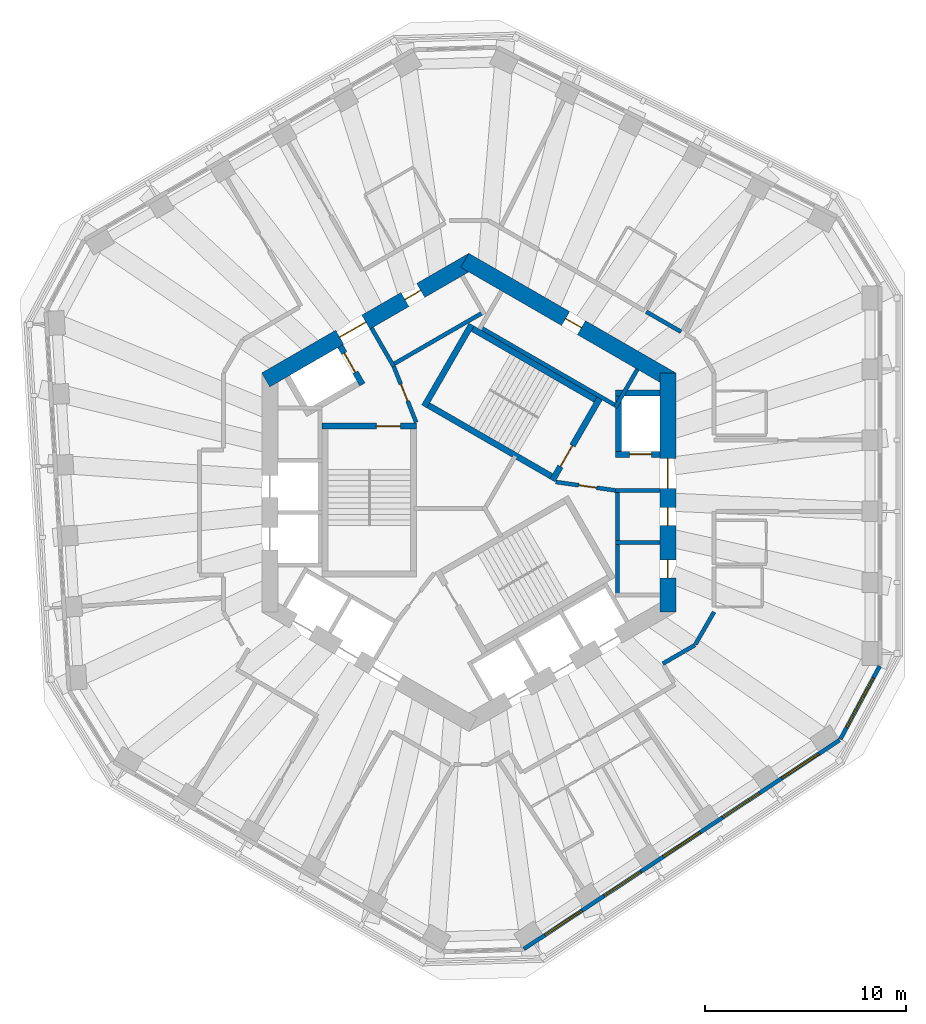
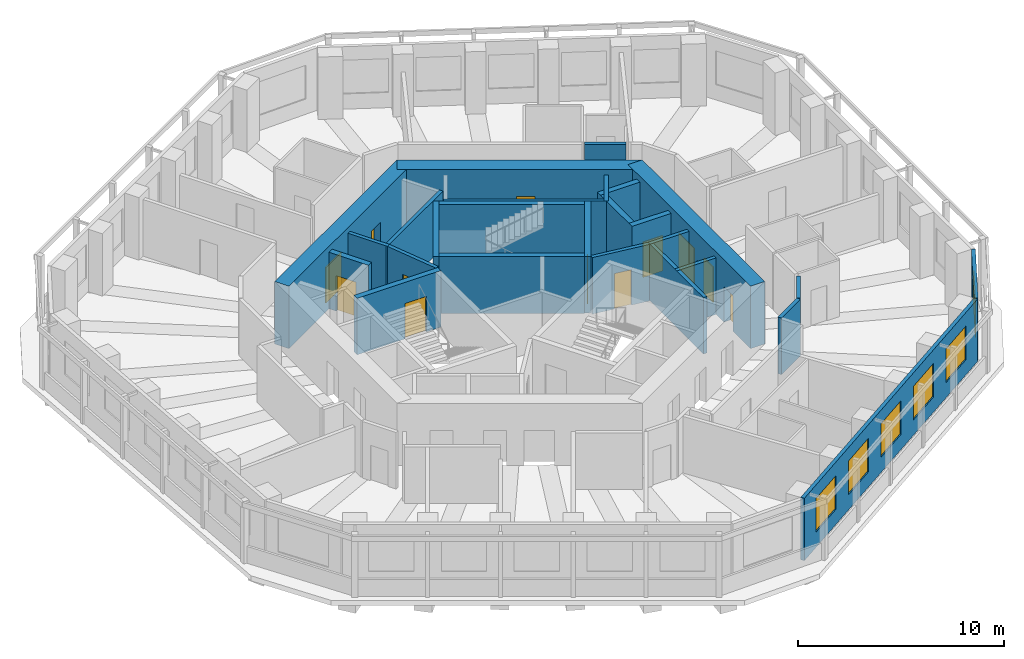
# One storey, part 6 of 11: 26 walls, 12 doors, 6 windows, 18 openings.
"""IFC4 building model written with IfcOpenShell, lengths in metres."""

from ifc_helpers import new_model, si_unit, direction, frame, frame_2d, origin, place, context, subcontext, project, spatial, rectangle, extrude, material, layer, layer_set, type_object, element, fill, save


model = new_model("IFC4")

# Units and contexts
model_context = context("Model", 3, precision=1e-05, world=origin(), true_north=direction((0.0, 1.0)))
body_context = subcontext(model_context, "Body", "Model", "MODEL_VIEW")
ifc_project = project(units=[si_unit("LENGTHUNIT", "METRE"), si_unit("AREAUNIT", "SQUARE_METRE"), si_unit("VOLUMEUNIT", "CUBIC_METRE"), si_unit("PLANEANGLEUNIT", "RADIAN"), si_unit("MASSUNIT", "GRAM", prefix="KILO")], contexts=[model_context])

# Site, building, storey
site_placement = place(None, origin())
site = spatial("IfcSite", under=ifc_project, at=site_placement, CompositionType="ELEMENT")
building_placement = place(site_placement, origin())
building = spatial("IfcBuilding", under=site, at=building_placement, Name="Vanh Sen Convention Tower", CompositionType="ELEMENT")
storey_placement = place(building_placement, frame((0.0, 0.0, 210.60009765625)))
storey = spatial("IfcBuildingStorey", under=building, at=storey_placement, Name="L52", CompositionType="ELEMENT", Elevation=210.60009765625)

# Wall, openings, doors
ifc_material_1 = material(Name="Concrete C60/75", Category="concrete")
ifc_layer_1 = layer(ifc_material_1, 0.800048828125)
ifc_layer_set_1 = layer_set([ifc_layer_1], Name="Concrete C60/75")
wall_type_1 = type_object("IfcWallType", Name="Core outer wall 800 C60/75", PredefinedType="SHEAR", material=ifc_layer_set_1)
wall_1_placement = place(storey_placement, frame((9.89990234375, -5.94677734375, 0.0), z_axis=(0.0, 0.0, 1.0), x_axis=(0.0, 1.0, 0.0)))
wall_1 = element("IfcWall", 1, at=wall_1_placement, inside=storey, type_object=wall_type_1, Name="Core wall face E L52", PredefinedType="SHEAR", context=body_context, shape_type="SweptSolid", body=[
    extrude(rectangle(XDim=11.8935546875, YDim=0.800048828125, at=frame_2d((5.94677734375, 0.0))), origin(), (0.0, 0.0, 1.0), 3.699951171875),
])
opening_1_placement = place(wall_1_placement, frame((6.146728515625, 0.0, 0.0)))
opening_1 = element("IfcOpeningElement", 2, at=opening_1_placement, cuts=wall_1, Name="Opening D52001", PredefinedType="OPENING", context=body_context, shape_type="SweptSolid", body=[
    extrude(rectangle(XDim=1.5, YDim=2.10009765625, at=frame_2d((0.75, 1.050048828125))), frame((0.0, 0.409912109375, 0.0), z_axis=(0.0, -1.0, 0.0), x_axis=(1.0, 0.0, 0.0)), (0.0, 0.0, 1.0), 0.820068359375),
])
opening_2_placement = place(wall_1_placement, frame((1.69677734375, 0.0, 0.0)))
opening_2 = element("IfcOpeningElement", 3, at=opening_2_placement, cuts=wall_1, Name="Opening D52010", PredefinedType="OPENING", context=body_context, shape_type="SweptSolid", body=[
    extrude(rectangle(XDim=0.89990234375, YDim=2.10009765625, at=frame_2d((0.449951171875, 1.050048828125))), frame((0.0, 0.409912109375, 0.0), z_axis=(0.0, -1.0, 0.0), x_axis=(1.0, 0.0, 0.0)), (0.0, 0.0, 1.0), 0.820068359375),
])
opening_3_placement = place(wall_1_placement, frame((4.296630859375, 0.0, 0.0)))
opening_3 = element("IfcOpeningElement", 4, at=opening_3_placement, cuts=wall_1, Name="Opening D52011", PredefinedType="OPENING", context=body_context, shape_type="SweptSolid", body=[
    extrude(rectangle(XDim=0.89990234375, YDim=2.10009765625, at=frame_2d((0.449951171875, 1.050048828125))), frame((0.0, 0.409912109375, 0.0), z_axis=(0.0, -1.0, 0.0), x_axis=(1.0, 0.0, 0.0)), (0.0, 0.0, 1.0), 0.820068359375),
])
ifc_material_2 = material(Name="Steel S355", Category="steel")
door_type_1 = type_object("IfcDoorType", Name="Plant door 900", OperationType="SINGLE_SWING_LEFT", PredefinedType="DOOR", material=ifc_material_2)
door_1_placement = place(opening_2_placement, origin())
door_1 = element("IfcDoor", 5, at=door_1_placement, inside=storey, type_object=door_type_1, Name="Plant door D52010", OperationType="SINGLE_SWING_LEFT", OverallHeight=2.10009765625, OverallWidth=0.89990234375, PredefinedType="DOOR", context=body_context, shape_type="SweptSolid", body=[
    extrude(rectangle(XDim=0.89990234375, YDim=2.10009765625, at=frame_2d((0.449951171875, 1.050048828125))), frame((0.0, 0.02490234375, 0.0), z_axis=(0.0, -1.0, 0.0), x_axis=(1.0, 0.0, 0.0)), (0.0, 0.0, 1.0), 0.050048828125),
])
fill(opening_2, door_1)
door_2_placement = place(opening_3_placement, origin())
door_2 = element("IfcDoor", 6, at=door_2_placement, inside=storey, type_object=door_type_1, Name="Plant door D52011", OperationType="SINGLE_SWING_LEFT", OverallHeight=2.10009765625, OverallWidth=0.89990234375, PredefinedType="DOOR", context=body_context, shape_type="SweptSolid", body=[
    extrude(rectangle(XDim=0.89990234375, YDim=2.10009765625, at=frame_2d((0.449951171875, 1.050048828125))), frame((0.0, 0.02490234375, 0.0), z_axis=(0.0, -1.0, 0.0), x_axis=(1.0, 0.0, 0.0)), (0.0, 0.0, 1.0), 0.050048828125),
])
fill(opening_3, door_2)
door_type_2 = type_object("IfcDoorType", Name="Stair lobby door 1500", OperationType="DOUBLE_DOOR_SINGLE_SWING", PredefinedType="DOOR", material=ifc_material_2)
door_3_placement = place(opening_1_placement, origin())
door_3 = element("IfcDoor", 7, at=door_3_placement, inside=storey, type_object=door_type_2, Name="Stair lobby door D52001", OperationType="DOUBLE_DOOR_SINGLE_SWING", OverallHeight=2.10009765625, OverallWidth=1.5, PredefinedType="DOOR", context=body_context, shape_type="SweptSolid", body=[
    extrude(rectangle(XDim=1.5, YDim=2.10009765625, at=frame_2d((0.75, 1.050048828125))), frame((0.0, 0.02490234375, 0.0), z_axis=(0.0, -1.0, 0.0), x_axis=(1.0, 0.0, 0.0)), (0.0, 0.0, 1.0), 0.050048828125),
])
fill(opening_1, door_3)

# Wall, opening, door
wall_2_placement = place(storey_placement, frame((10.10009765625, 5.600341796875, 0.0), z_axis=(0.0, 0.0, 1.0), x_axis=(-0.866023897231, 0.500002609418, 0.0)))
wall_2 = element("IfcWall", 8, at=wall_2_placement, inside=storey, type_object=wall_type_1, Name="Core wall face NE L52", PredefinedType="SHEAR", context=body_context, shape_type="SweptSolid", body=[
    extrude(rectangle(XDim=11.8935546875, YDim=0.800048828125, at=frame_2d((5.94677734375, 0.0))), origin(), (0.0, 0.0, 1.0), 3.699951171875),
])
opening_4_placement = place(wall_2_placement, frame((5.19677734375, 0.0, 0.0)))
opening_4 = element("IfcOpeningElement", 9, at=opening_4_placement, cuts=wall_2, Name="Opening D52012", PredefinedType="OPENING", context=body_context, shape_type="SweptSolid", body=[
    extrude(rectangle(XDim=0.89990234375, YDim=2.10009765625, at=frame_2d((0.449951171875, 1.050048828125))), frame((0.0, 0.409912109375, 0.0), z_axis=(0.0, -1.0, 0.0), x_axis=(1.0, 0.0, 0.0)), (0.0, 0.0, 1.0), 0.820068359375),
])
door_4_placement = place(opening_4_placement, origin())
door_4 = element("IfcDoor", 10, at=door_4_placement, inside=storey, type_object=door_type_1, Name="Plant door D52012", OperationType="SINGLE_SWING_LEFT", OverallHeight=2.10009765625, OverallWidth=0.89990234375, PredefinedType="DOOR", context=body_context, shape_type="SweptSolid", body=[
    extrude(rectangle(XDim=0.89990234375, YDim=2.10009765625, at=frame_2d((0.449951171875, 1.050048828125))), frame((0.0, 0.02490234375, 0.0), z_axis=(0.0, -1.0, 0.0), x_axis=(1.0, 0.0, 0.0)), (0.0, 0.0, 1.0), 0.050048828125),
])
fill(opening_4, door_4)

# Wall, openings, doors
wall_3_placement = place(storey_placement, frame((0.199951171875, 11.547119140625, 0.0), z_axis=(0.0, 0.0, 1.0), x_axis=(-0.866023897231, -0.500002609418, 0.0)))
wall_3 = element("IfcWall", 11, at=wall_3_placement, inside=storey, type_object=wall_type_1, Name="Core wall face NW L52", PredefinedType="SHEAR", context=body_context, shape_type="SweptSolid", body=[
    extrude(rectangle(XDim=11.8935546875, YDim=0.800048828125, at=frame_2d((5.94677734375, 0.0))), origin(), (0.0, 0.0, 1.0), 3.699951171875),
])
opening_5_placement = place(wall_3_placement, frame((6.146728515625, 0.0, 0.0)))
opening_5 = element("IfcOpeningElement", 12, at=opening_5_placement, cuts=wall_3, Name="Opening D52002", PredefinedType="OPENING", context=body_context, shape_type="SweptSolid", body=[
    extrude(rectangle(XDim=1.5, YDim=2.10009765625, at=frame_2d((0.75, 1.050048828125))), frame((0.0, 0.409912109375, 0.0), z_axis=(0.0, -1.0, 0.0), x_axis=(1.0, 0.0, 0.0)), (0.0, 0.0, 1.0), 0.820068359375),
])
opening_6_placement = place(wall_3_placement, frame((2.99658203125, 0.0, 0.0)))
opening_6 = element("IfcOpeningElement", 13, at=opening_6_placement, cuts=wall_3, Name="Opening D52013", PredefinedType="OPENING", context=body_context, shape_type="SweptSolid", body=[
    extrude(rectangle(XDim=0.89990234375, YDim=2.10009765625, at=frame_2d((0.449951171875, 1.050048828125))), frame((0.0, 0.409912109375, 0.0), z_axis=(0.0, -1.0, 0.0), x_axis=(1.0, 0.0, 0.0)), (0.0, 0.0, 1.0), 0.820068359375),
])
door_5_placement = place(opening_6_placement, origin())
door_5 = element("IfcDoor", 14, at=door_5_placement, inside=storey, type_object=door_type_1, Name="Plant door D52013", OperationType="SINGLE_SWING_LEFT", OverallHeight=2.10009765625, OverallWidth=0.89990234375, PredefinedType="DOOR", context=body_context, shape_type="SweptSolid", body=[
    extrude(rectangle(XDim=0.89990234375, YDim=2.10009765625, at=frame_2d((0.449951171875, 1.050048828125))), frame((0.0, 0.02490234375, 0.0), z_axis=(0.0, -1.0, 0.0), x_axis=(1.0, 0.0, 0.0)), (0.0, 0.0, 1.0), 0.050048828125),
])
fill(opening_6, door_5)
door_6_placement = place(opening_5_placement, origin())
door_6 = element("IfcDoor", 15, at=door_6_placement, inside=storey, type_object=door_type_2, Name="Stair lobby door D52002", OperationType="DOUBLE_DOOR_SINGLE_SWING", OverallHeight=2.10009765625, OverallWidth=1.5, PredefinedType="DOOR", context=body_context, shape_type="SweptSolid", body=[
    extrude(rectangle(XDim=1.5, YDim=2.10009765625, at=frame_2d((0.75, 1.050048828125))), frame((0.0, 0.02490234375, 0.0), z_axis=(0.0, -1.0, 0.0), x_axis=(1.0, 0.0, 0.0)), (0.0, 0.0, 1.0), 0.050048828125),
])
fill(opening_5, door_6)

# Walls
ifc_material_3 = material(Name="Gypsum board on steel studs with mineral wool", Category="steel")
ifc_layer_2 = layer(ifc_material_3, 0.199951171875)
ifc_layer_set_2 = layer_set([ifc_layer_2], Name="Gypsum board on steel studs with mineral wool")
wall_type_2 = type_object("IfcWallType", Name="Corridor partition wall 200", PredefinedType="PARTITIONING", material=ifc_layer_set_2)
wall_4_placement = place(storey_placement, frame((9.651611328125, -8.514892578125, 0.0), z_axis=(0.0, 0.0, 1.0), x_axis=(0.866020375458, 0.500008709215, 0.0)))
element("IfcWall", 16, at=wall_4_placement, inside=storey, type_object=wall_type_2, Name="Corridor partition wall 200", PredefinedType="PARTITIONING", context=body_context, shape_type="SweptSolid", body=[
    extrude(rectangle(XDim=1.845703125, YDim=0.199951171875, at=frame_2d((0.9228515625, 0.0))), origin(), (0.0, 0.0, 1.0), 3.349853515625),
])
wall_5_placement = place(storey_placement, frame((10.5576171875, 7.991943359375, 0.0), z_axis=(0.0, 0.0, 1.0), x_axis=(-0.866041268327, 0.499972520799, 0.0)))
element("IfcWall", 17, at=wall_5_placement, inside=storey, type_object=wall_type_2, Name="Corridor partition wall 200", PredefinedType="PARTITIONING", context=body_context, shape_type="SweptSolid", body=[
    extrude(rectangle(XDim=2.0, YDim=0.199951171875, at=frame_2d((1.0, 0.0))), origin(), (0.0, 0.0, 1.0), 3.349853515625),
])
wall_6_placement = place(storey_placement, frame((11.27001953125, -7.5576171875, 0.0), z_axis=(0.0, 0.0, 1.0), x_axis=(0.499964847546, 0.866045698112, 0.0)))
element("IfcWall", 18, at=wall_6_placement, inside=storey, type_object=wall_type_2, Name="Corridor partition wall 200", PredefinedType="PARTITIONING", context=body_context, shape_type="SweptSolid", body=[
    extrude(rectangle(XDim=1.860107421875, YDim=0.199951171875, at=frame_2d((0.93017578125, 0.0))), origin(), (0.0, 0.0, 1.0), 3.349853515625),
])

# Wall, openings, windows
ifc_material_4 = material(Name="Insulated lightweight infill wall")
ifc_layer_3 = layer(ifc_material_4, 0.199951171875)
ifc_layer_set_3 = layer_set([ifc_layer_3], Name="Insulated lightweight infill wall")
wall_type_3 = type_object("IfcWallType", Name="External wall 200", PredefinedType="STANDARD", material=ifc_layer_set_3)
wall_7_placement = place(storey_placement, frame((2.739013671875, -22.7109375, 0.0), z_axis=(0.0, 0.0, 1.0), x_axis=(0.833885723098, 0.551937134838, 0.0)))
wall_7 = element("IfcWall", 19, at=wall_7_placement, inside=storey, type_object=wall_type_3, Name="External wall SE L52", PredefinedType="STANDARD", context=body_context, shape_type="SweptSolid", body=[
    extrude(rectangle(XDim=18.84130859375, YDim=0.199951171875, at=frame_2d((9.420654296875, 0.0))), origin(), (0.0, 0.0, 1.0), 3.699951171875),
])
opening_7_placement = place(wall_7_placement, frame((1.25244140625, 0.0, 0.89990234375)))
opening_7 = element("IfcOpeningElement", 20, at=opening_7_placement, cuts=wall_7, Name="Opening WO3-SE1", PredefinedType="OPENING", context=body_context, shape_type="SweptSolid", body=[
    extrude(rectangle(XDim=2.199951171875, YDim=2.0, at=frame_2d((1.10009765625, 1.0))), frame((0.0, 0.10986328125, 0.0), z_axis=(0.0, -1.0, 0.0), x_axis=(1.0, 0.0, 0.0)), (0.0, 0.0, 1.0), 0.219970703125),
])
opening_8_placement = place(wall_7_placement, frame((4.7861328125, 0.0, 0.89990234375)))
opening_8 = element("IfcOpeningElement", 21, at=opening_8_placement, cuts=wall_7, Name="Opening WO3-SE2", PredefinedType="OPENING", context=body_context, shape_type="SweptSolid", body=[
    extrude(rectangle(XDim=2.199951171875, YDim=2.0, at=frame_2d((1.10009765625, 1.0))), frame((0.0, 0.10986328125, 0.0), z_axis=(0.0, -1.0, 0.0), x_axis=(1.0, 0.0, 0.0)), (0.0, 0.0, 1.0), 0.219970703125),
])
opening_9_placement = place(wall_7_placement, frame((8.31982421875, 0.0, 0.89990234375)))
opening_9 = element("IfcOpeningElement", 22, at=opening_9_placement, cuts=wall_7, Name="Opening WO3-SE3", PredefinedType="OPENING", context=body_context, shape_type="SweptSolid", body=[
    extrude(rectangle(XDim=2.199951171875, YDim=2.0, at=frame_2d((1.10009765625, 1.0))), frame((0.0, 0.10986328125, 0.0), z_axis=(0.0, -1.0, 0.0), x_axis=(1.0, 0.0, 0.0)), (0.0, 0.0, 1.0), 0.219970703125),
])
opening_10_placement = place(wall_7_placement, frame((11.853515625, 0.0, 0.89990234375)))
opening_10 = element("IfcOpeningElement", 23, at=opening_10_placement, cuts=wall_7, Name="Opening WO3-SE4", PredefinedType="OPENING", context=body_context, shape_type="SweptSolid", body=[
    extrude(rectangle(XDim=2.199951171875, YDim=2.0, at=frame_2d((1.10009765625, 1.0))), frame((0.0, 0.10986328125, 0.0), z_axis=(0.0, -1.0, 0.0), x_axis=(1.0, 0.0, 0.0)), (0.0, 0.0, 1.0), 0.219970703125),
])
opening_11_placement = place(wall_7_placement, frame((15.386962890625, 0.0, 0.89990234375)))
opening_11 = element("IfcOpeningElement", 24, at=opening_11_placement, cuts=wall_7, Name="Opening WO3-SE5", PredefinedType="OPENING", context=body_context, shape_type="SweptSolid", body=[
    extrude(rectangle(XDim=2.199951171875, YDim=2.0, at=frame_2d((1.10009765625, 1.0))), frame((0.0, 0.10986328125, 0.0), z_axis=(0.0, -1.0, 0.0), x_axis=(1.0, 0.0, 0.0)), (0.0, 0.0, 1.0), 0.219970703125),
])
ifc_material_5 = material(Name="Aluminium frame with clear low-emissivity glass", Category="aluminium")
window_type_1 = type_object("IfcWindowType", Name="Office window 2200 x 2000", PartitioningType="SINGLE_PANEL", PredefinedType="WINDOW", material=ifc_material_5)
window_1_placement = place(opening_7_placement, origin())
window_1 = element("IfcWindow", 25, at=window_1_placement, inside=storey, type_object=window_type_1, Name="Window WO3-SE1", OverallHeight=2.0, OverallWidth=2.199951171875, PartitioningType="SINGLE_PANEL", PredefinedType="WINDOW", context=body_context, shape_type="SweptSolid", body=[
    extrude(rectangle(XDim=2.199951171875, YDim=2.0, at=frame_2d((1.10009765625, 1.0))), frame((0.0, 0.030029296875, 0.0), z_axis=(0.0, -1.0, 0.0), x_axis=(1.0, 0.0, 0.0)), (0.0, 0.0, 1.0), 0.06005859375),
])
fill(opening_7, window_1)
window_2_placement = place(opening_8_placement, origin())
window_2 = element("IfcWindow", 26, at=window_2_placement, inside=storey, type_object=window_type_1, Name="Window WO3-SE2", OverallHeight=2.0, OverallWidth=2.199951171875, PartitioningType="SINGLE_PANEL", PredefinedType="WINDOW", context=body_context, shape_type="SweptSolid", body=[
    extrude(rectangle(XDim=2.199951171875, YDim=2.0, at=frame_2d((1.10009765625, 1.0))), frame((0.0, 0.030029296875, 0.0), z_axis=(0.0, -1.0, 0.0), x_axis=(1.0, 0.0, 0.0)), (0.0, 0.0, 1.0), 0.06005859375),
])
fill(opening_8, window_2)
window_3_placement = place(opening_9_placement, origin())
window_3 = element("IfcWindow", 27, at=window_3_placement, inside=storey, type_object=window_type_1, Name="Window WO3-SE3", OverallHeight=2.0, OverallWidth=2.199951171875, PartitioningType="SINGLE_PANEL", PredefinedType="WINDOW", context=body_context, shape_type="SweptSolid", body=[
    extrude(rectangle(XDim=2.199951171875, YDim=2.0, at=frame_2d((1.10009765625, 1.0))), frame((0.0, 0.030029296875, 0.0), z_axis=(0.0, -1.0, 0.0), x_axis=(1.0, 0.0, 0.0)), (0.0, 0.0, 1.0), 0.06005859375),
])
fill(opening_9, window_3)
window_4_placement = place(opening_10_placement, origin())
window_4 = element("IfcWindow", 28, at=window_4_placement, inside=storey, type_object=window_type_1, Name="Window WO3-SE4", OverallHeight=2.0, OverallWidth=2.199951171875, PartitioningType="SINGLE_PANEL", PredefinedType="WINDOW", context=body_context, shape_type="SweptSolid", body=[
    extrude(rectangle(XDim=2.199951171875, YDim=2.0, at=frame_2d((1.10009765625, 1.0))), frame((0.0, 0.030029296875, 0.0), z_axis=(0.0, -1.0, 0.0), x_axis=(1.0, 0.0, 0.0)), (0.0, 0.0, 1.0), 0.06005859375),
])
fill(opening_10, window_4)
window_5_placement = place(opening_11_placement, origin())
window_5 = element("IfcWindow", 29, at=window_5_placement, inside=storey, type_object=window_type_1, Name="Window WO3-SE5", OverallHeight=2.0, OverallWidth=2.199951171875, PartitioningType="SINGLE_PANEL", PredefinedType="WINDOW", context=body_context, shape_type="SweptSolid", body=[
    extrude(rectangle(XDim=2.199951171875, YDim=2.0, at=frame_2d((1.10009765625, 1.0))), frame((0.0, 0.030029296875, 0.0), z_axis=(0.0, -1.0, 0.0), x_axis=(1.0, 0.0, 0.0)), (0.0, 0.0, 1.0), 0.06005859375),
])
fill(opening_11, window_5)

# Wall, opening, window
wall_8_placement = place(storey_placement, frame((18.4833984375, -12.275634765625, 0.0), z_axis=(0.0, 0.0, 1.0), x_axis=(0.473267675015, 0.880918672629, 0.0)))
wall_8 = element("IfcWall", 30, at=wall_8_placement, inside=storey, type_object=wall_type_3, Name="External wall CH6 L52", PredefinedType="STANDARD", context=body_context, shape_type="SweptSolid", body=[
    extrude(rectangle(XDim=4.1298828125, YDim=0.199951171875, at=frame_2d((2.06494140625, 0.0))), origin(), (0.0, 0.0, 1.0), 3.699951171875),
])
opening_12_placement = place(wall_8_placement, frame((0.6650390625, 0.0, 0.89990234375)))
opening_12 = element("IfcOpeningElement", 31, at=opening_12_placement, cuts=wall_8, Name="Opening WO4-CH61", PredefinedType="OPENING", context=body_context, shape_type="SweptSolid", body=[
    extrude(rectangle(XDim=2.800048828125, YDim=2.0, at=frame_2d((1.39990234375, 1.0))), frame((0.0, 0.10986328125, 0.0), z_axis=(0.0, -1.0, 0.0), x_axis=(1.0, 0.0, 0.0)), (0.0, 0.0, 1.0), 0.219970703125),
])
window_type_2 = type_object("IfcWindowType", Name="Office window 2800 x 2000", PartitioningType="SINGLE_PANEL", PredefinedType="WINDOW", material=ifc_material_5)
window_6_placement = place(opening_12_placement, origin())
window_6 = element("IfcWindow", 32, at=window_6_placement, inside=storey, type_object=window_type_2, Name="Window WO4-CH61", OverallHeight=2.0, OverallWidth=2.800048828125, PartitioningType="SINGLE_PANEL", PredefinedType="WINDOW", context=body_context, shape_type="SweptSolid", body=[
    extrude(rectangle(XDim=2.800048828125, YDim=2.0, at=frame_2d((1.39990234375, 1.0))), frame((0.0, 0.030029296875, 0.0), z_axis=(0.0, -1.0, 0.0), x_axis=(1.0, 0.0, 0.0)), (0.0, 0.0, 1.0), 0.06005859375),
])
fill(opening_12, window_6)

# Wall, opening, door
ifc_layer_4 = layer(ifc_material_1, 0.300048828125)
ifc_layer_set_4 = layer_set([ifc_layer_4], Name="Concrete C60/75")
wall_type_4 = type_object("IfcWallType", Name="Fire-fighting lift shaft wall 300", PredefinedType="SHEAR", material=ifc_layer_set_4)
wall_9_placement = place(storey_placement, frame((7.300048828125, 1.89990234375, 0.0), z_axis=(0.0, 0.0, 1.0), x_axis=(1.0, 0.0, 0.0)))
wall_9 = element("IfcWall", 33, at=wall_9_placement, inside=storey, type_object=wall_type_4, Name="Fire-fighting lift shaft wall L52", PredefinedType="SHEAR", context=body_context, shape_type="SweptSolid", body=[
    extrude(rectangle(XDim=2.199951171875, YDim=0.300048828125, at=frame_2d((1.10009765625, 0.0))), origin(), (0.0, 0.0, 1.0), 3.349853515625),
])
opening_13_placement = place(wall_9_placement, frame((0.699951171875, 0.0, 0.0)))
opening_13 = element("IfcOpeningElement", 34, at=opening_13_placement, cuts=wall_9, Name="Opening LD-FF1", PredefinedType="OPENING", context=body_context, shape_type="SweptSolid", body=[
    extrude(rectangle(XDim=1.10009765625, YDim=2.10009765625, at=frame_2d((0.550048828125, 1.050048828125))), frame((0.0, 0.159912109375, 0.0), z_axis=(0.0, -1.0, 0.0), x_axis=(1.0, 0.0, 0.0)), (0.0, 0.0, 1.0), 0.320068359375),
])
ifc_material_6 = material(Name="Stainless steel", Category="steel")
door_type_3 = type_object("IfcDoorType", Name="Fire-fighting lift landing door 1100", OperationType="DOUBLE_DOOR_SLIDING", PredefinedType="DOOR", material=ifc_material_6)
door_7_placement = place(opening_13_placement, origin())
door_7 = element("IfcDoor", 35, at=door_7_placement, inside=storey, type_object=door_type_3, Name="Lift FF1 landing door LD-FF1", OperationType="DOUBLE_DOOR_SLIDING", OverallHeight=2.10009765625, OverallWidth=1.10009765625, PredefinedType="DOOR", context=body_context, shape_type="SweptSolid", body=[
    extrude(rectangle(XDim=1.10009765625, YDim=2.10009765625, at=frame_2d((0.550048828125, 1.050048828125))), frame((0.0, 0.02490234375, 0.0), z_axis=(0.0, -1.0, 0.0), x_axis=(1.0, 0.0, 0.0)), (0.0, 0.0, 1.0), 0.050048828125),
])
fill(opening_13, door_7)

# Walls
wall_10_placement = place(storey_placement, frame((7.449951171875, 1.75, 0.0), z_axis=(0.0, 0.0, 1.0), x_axis=(0.0, 1.0, 0.0)))
element("IfcWall", 36, at=wall_10_placement, inside=storey, type_object=wall_type_4, Name="Fire-fighting lift shaft wall L52", PredefinedType="SHEAR", context=body_context, shape_type="SweptSolid", body=[
    extrude(rectangle(XDim=3.35009765625, YDim=0.300048828125, at=frame_2d((1.675048828125, 0.0))), origin(), (0.0, 0.0, 1.0), 3.349853515625),
])
wall_11_placement = place(storey_placement, frame((7.300048828125, 4.949951171875, 0.0), z_axis=(0.0, 0.0, 1.0), x_axis=(1.0, 0.0, 0.0)))
element("IfcWall", 37, at=wall_11_placement, inside=storey, type_object=wall_type_4, Name="Fire-fighting lift shaft wall L52", PredefinedType="SHEAR", context=body_context, shape_type="SweptSolid", body=[
    extrude(rectangle(XDim=2.199951171875, YDim=0.300048828125, at=frame_2d((1.10009765625, 0.0))), origin(), (0.0, 0.0, 1.0), 3.349853515625),
])

# Wall, opening, door
wall_12_placement = place(storey_placement, frame((-5.29541015625, 5.3720703125, 0.0), z_axis=(0.0, 0.0, 1.0), x_axis=(-0.500077893725, 0.86598042715, 0.0)))
wall_12 = element("IfcWall", 38, at=wall_12_placement, inside=storey, type_object=wall_type_4, Name="Fire-fighting lift shaft wall L52", PredefinedType="SHEAR", context=body_context, shape_type="SweptSolid", body=[
    extrude(rectangle(XDim=2.199951171875, YDim=0.300048828125, at=frame_2d((1.10009765625, 0.0))), origin(), (0.0, 0.0, 1.0), 3.349853515625),
])
opening_14_placement = place(wall_12_placement, frame((0.699951171875, 0.0, 0.0)))
opening_14 = element("IfcOpeningElement", 39, at=opening_14_placement, cuts=wall_12, Name="Opening LD-FF2", PredefinedType="OPENING", context=body_context, shape_type="SweptSolid", body=[
    extrude(rectangle(XDim=1.10009765625, YDim=2.10009765625, at=frame_2d((0.550048828125, 1.050048828125))), frame((0.0, 0.159912109375, 0.0), z_axis=(0.0, -1.0, 0.0), x_axis=(1.0, 0.0, 0.0)), (0.0, 0.0, 1.0), 0.320068359375),
])
door_8_placement = place(opening_14_placement, origin())
door_8 = element("IfcDoor", 40, at=door_8_placement, inside=storey, type_object=door_type_3, Name="Lift FF2 landing door LD-FF2", OperationType="DOUBLE_DOOR_SLIDING", OverallHeight=2.10009765625, OverallWidth=1.10009765625, PredefinedType="DOOR", context=body_context, shape_type="SweptSolid", body=[
    extrude(rectangle(XDim=1.10009765625, YDim=2.10009765625, at=frame_2d((0.550048828125, 1.050048828125))), frame((0.0, 0.02490234375, 0.0), z_axis=(0.0, -1.0, 0.0), x_axis=(1.0, 0.0, 0.0)), (0.0, 0.0, 1.0), 0.050048828125),
])
fill(opening_14, door_8)

# Walls
ifc_material_7 = material(Name="Concrete C40/50", Category="concrete")
ifc_layer_5 = layer(ifc_material_7, 0.199951171875)
ifc_layer_set_5 = layer_set([ifc_layer_5], Name="Concrete C40/50")
wall_type_5 = type_object("IfcWallType", Name="Lift shaft wall 200", PredefinedType="PARTITIONING", material=ifc_layer_set_5)
wall_13_placement = place(storey_placement, frame((7.39990234375, -5.199951171875, 0.0), z_axis=(0.0, 0.0, 1.0), x_axis=(0.0, 1.0, 0.0)))
element("IfcWall", 41, at=wall_13_placement, inside=storey, type_object=wall_type_5, Name="Lift shaft wall L52", PredefinedType="PARTITIONING", context=body_context, shape_type="SweptSolid", body=[
    extrude(rectangle(XDim=5.39990234375, YDim=0.199951171875, at=frame_2d((2.699951171875, 0.0))), origin(), (0.0, 0.0, 1.0), 3.349853515625),
])
for number, where, z_axis, x_axis, name in (
    (42, (7.300048828125, -2.5, 0.0), (0.0, 0.0, 1.0), (1.0, 0.0, 0.0), "Lift shaft wall L52"),
    (43, (7.300048828125, 0.10009765625, 0.0), (0.0, 0.0, 1.0), (1.0, 0.0, 0.0), "Lift shaft wall L52"),
):
    element("IfcWall", number, at=place(storey_placement, frame(where, z_axis=z_axis, x_axis=x_axis)), inside=storey, type_object=wall_type_5, Name=name, PredefinedType="PARTITIONING", context=body_context, shape_type="SweptSolid", body=[
        extrude(rectangle(XDim=2.199951171875, YDim=0.199951171875, at=frame_2d((1.10009765625, 0.0))), origin(), (0.0, 0.0, 1.0), 3.349853515625),
    ])
wall_14_placement = place(storey_placement, frame((7.423828125, 4.258544921875, 0.0), z_axis=(0.0, 0.0, 1.0), x_axis=(-0.866026010844, 0.49999894854, 0.0)))
element("IfcWall", 44, at=wall_14_placement, inside=storey, type_object=wall_type_5, Name="Lift shaft wall L52", PredefinedType="PARTITIONING", context=body_context, shape_type="SweptSolid", body=[
    extrude(rectangle(XDim=8.0, YDim=0.199951171875, at=frame_2d((4.0, 0.0))), origin(), (0.0, 0.0, 1.0), 3.349853515625),
])
wall_15_placement = place(storey_placement, frame((7.287353515625, 4.221923828125, 0.0), z_axis=(0.0, 0.0, 1.0), x_axis=(0.499946605688, 0.86605622881, 0.0)))
element("IfcWall", 45, at=wall_15_placement, inside=storey, type_object=wall_type_5, Name="Lift shaft wall L52", PredefinedType="PARTITIONING", context=body_context, shape_type="SweptSolid", body=[
    extrude(rectangle(XDim=2.199951171875, YDim=0.199951171875, at=frame_2d((1.10009765625, 0.0))), origin(), (0.0, 0.0, 1.0), 3.349853515625),
])
wall_16_placement = place(storey_placement, frame((0.80322265625, 9.008544921875, 0.0), z_axis=(0.0, 0.0, 1.0), x_axis=(-0.866028230842, -0.499995103361, 0.0)))
element("IfcWall", 46, at=wall_16_placement, inside=storey, type_object=wall_type_5, Name="Lift shaft wall L52", PredefinedType="PARTITIONING", context=body_context, shape_type="SweptSolid", body=[
    extrude(rectangle(XDim=5.39990234375, YDim=0.199951171875, at=frame_2d((2.699951171875, 0.0))), origin(), (0.0, 0.0, 1.0), 3.349853515625),
])
wall_17_placement = place(storey_placement, frame((-3.736572265625, 6.27197265625, 0.0), z_axis=(0.0, 0.0, 1.0), x_axis=(-0.50002983664, 0.866008176907, 0.0)))
element("IfcWall", 47, at=wall_17_placement, inside=storey, type_object=wall_type_5, Name="Lift shaft wall L52", PredefinedType="PARTITIONING", context=body_context, shape_type="SweptSolid", body=[
    extrude(rectangle(XDim=2.199951171875, YDim=0.199951171875, at=frame_2d((1.10009765625, 0.0))), origin(), (0.0, 0.0, 1.0), 3.349853515625),
])

# Wall, opening, door
ifc_layer_6 = layer(ifc_material_7, 0.199951171875)
ifc_layer_set_6 = layer_set([ifc_layer_6], Name="Concrete C40/50")
wall_type_6 = type_object("IfcWallType", Name="Stair lobby wall 200", PredefinedType="PARTITIONING", material=ifc_layer_set_6)
wall_18_placement = place(storey_placement, frame((4.327392578125, 0.52099609375, 0.0), z_axis=(0.0, 0.0, 1.0), x_axis=(0.990124376366, -0.14019172346, 0.0)))
wall_18 = element("IfcWall", 48, at=wall_18_placement, inside=storey, type_object=wall_type_6, Name="Stair lobby wall L52", PredefinedType="PARTITIONING", context=body_context, shape_type="SweptSolid", body=[
    extrude(rectangle(XDim=3.002197265625, YDim=0.199951171875, at=frame_2d((1.5009765625, 0.0))), origin(), (0.0, 0.0, 1.0), 3.349853515625),
])
opening_15_placement = place(wall_18_placement, frame((1.14990234375, 0.0, 0.0)))
opening_15 = element("IfcOpeningElement", 49, at=opening_15_placement, cuts=wall_18, Name="Opening D52007", PredefinedType="OPENING", context=body_context, shape_type="SweptSolid", body=[
    extrude(rectangle(XDim=0.89990234375, YDim=2.10009765625, at=frame_2d((0.449951171875, 1.050048828125))), frame((0.0, 0.10986328125, 0.0), z_axis=(0.0, -1.0, 0.0), x_axis=(1.0, 0.0, 0.0)), (0.0, 0.0, 1.0), 0.219970703125),
])
door_9_placement = place(opening_15_placement, origin())
door_9 = element("IfcDoor", 50, at=door_9_placement, inside=storey, type_object=door_type_1, Name="Plant door D52007", OperationType="SINGLE_SWING_LEFT", OverallHeight=2.10009765625, OverallWidth=0.89990234375, PredefinedType="DOOR", context=body_context, shape_type="SweptSolid", body=[
    extrude(rectangle(XDim=0.89990234375, YDim=2.10009765625, at=frame_2d((0.449951171875, 1.050048828125))), frame((0.0, 0.02490234375, 0.0), z_axis=(0.0, -1.0, 0.0), x_axis=(1.0, 0.0, 0.0)), (0.0, 0.0, 1.0), 0.050048828125),
])
fill(opening_15, door_9)

wall_19_placement = place(storey_placement, frame((-2.614990234375, 3.487060546875, 0.0), z_axis=(0.0, 0.0, 1.0), x_axis=(-0.373576831041, 0.92759924068, 0.0)))
wall_19 = element("IfcWall", 51, at=wall_19_placement, inside=storey, type_object=wall_type_6, Name="Stair lobby wall L52", PredefinedType="PARTITIONING", context=body_context, shape_type="SweptSolid", body=[
    extrude(rectangle(XDim=3.002197265625, YDim=0.199951171875, at=frame_2d((1.5009765625, 0.0))), origin(), (0.0, 0.0, 1.0), 3.349853515625),
])
opening_16_placement = place(wall_19_placement, frame((1.14990234375, 0.0, 0.0)))
opening_16 = element("IfcOpeningElement", 52, at=opening_16_placement, cuts=wall_19, Name="Opening D52008", PredefinedType="OPENING", context=body_context, shape_type="SweptSolid", body=[
    extrude(rectangle(XDim=0.89990234375, YDim=2.10009765625, at=frame_2d((0.449951171875, 1.050048828125))), frame((0.0, 0.10986328125, 0.0), z_axis=(0.0, -1.0, 0.0), x_axis=(1.0, 0.0, 0.0)), (0.0, 0.0, 1.0), 0.219970703125),
])
door_10_placement = place(opening_16_placement, origin())
door_10 = element("IfcDoor", 53, at=door_10_placement, inside=storey, type_object=door_type_1, Name="Plant door D52008", OperationType="SINGLE_SWING_LEFT", OverallHeight=2.10009765625, OverallWidth=0.89990234375, PredefinedType="DOOR", context=body_context, shape_type="SweptSolid", body=[
    extrude(rectangle(XDim=0.89990234375, YDim=2.10009765625, at=frame_2d((0.449951171875, 1.050048828125))), frame((0.0, 0.02490234375, 0.0), z_axis=(0.0, -1.0, 0.0), x_axis=(1.0, 0.0, 0.0)), (0.0, 0.0, 1.0), 0.050048828125),
])
fill(opening_16, door_10)

ifc_layer_7 = layer(ifc_material_1, 0.300048828125)
ifc_layer_set_7 = layer_set([ifc_layer_7], Name="Concrete C60/75")
wall_type_7 = type_object("IfcWallType", Name="Stair wall 300", PredefinedType="SHEAR", material=ifc_layer_set_7)
wall_20_placement = place(storey_placement, frame((4.157958984375, 0.601806640625, 0.0), z_axis=(0.0, 0.0, 1.0), x_axis=(0.499977259774, 0.866038532462, 0.0)))
wall_20 = element("IfcWall", 54, at=wall_20_placement, inside=storey, type_object=wall_type_7, Name="Stair wall L52", PredefinedType="SHEAR", context=body_context, shape_type="SweptSolid", body=[
    extrude(rectangle(XDim=4.699951171875, YDim=0.300048828125, at=frame_2d((2.35009765625, 0.0))), origin(), (0.0, 0.0, 1.0), 3.349853515625),
])
opening_17_placement = place(wall_20_placement, frame((0.800048828125, 0.0, 0.0)))
opening_17 = element("IfcOpeningElement", 55, at=opening_17_placement, cuts=wall_20, Name="Opening D52004", PredefinedType="OPENING", context=body_context, shape_type="SweptSolid", body=[
    extrude(rectangle(XDim=1.199951171875, YDim=2.10009765625, at=frame_2d((0.60009765625, 1.050048828125))), frame((0.0, 0.159912109375, 0.0), z_axis=(0.0, -1.0, 0.0), x_axis=(1.0, 0.0, 0.0)), (0.0, 0.0, 1.0), 0.320068359375),
])
door_type_4 = type_object("IfcDoorType", Name="Stair door 1200", OperationType="SINGLE_SWING_RIGHT", PredefinedType="DOOR", material=ifc_material_2)
door_11_placement = place(opening_17_placement, origin())
door_11 = element("IfcDoor", 56, at=door_11_placement, inside=storey, type_object=door_type_4, Name="Stair ST1 door D52004", OperationType="SINGLE_SWING_RIGHT", OverallHeight=2.10009765625, OverallWidth=1.199951171875, PredefinedType="DOOR", context=body_context, shape_type="SweptSolid", body=[
    extrude(rectangle(XDim=1.199951171875, YDim=2.10009765625, at=frame_2d((0.60009765625, 1.050048828125))), frame((0.0, 0.02490234375, 0.0), z_axis=(0.0, -1.0, 0.0), x_axis=(1.0, 0.0, 0.0)), (0.0, 0.0, 1.0), 0.050048828125),
])
fill(opening_17, door_11)

# Walls
wall_21_placement = place(storey_placement, frame((-2.216064453125, 4.28173828125, 0.0), z_axis=(0.0, 0.0, 1.0), x_axis=(0.499977259774, 0.866038532462, 0.0)))
element("IfcWall", 57, at=wall_21_placement, inside=storey, type_object=wall_type_7, Name="Stair wall L52", PredefinedType="SHEAR", context=body_context, shape_type="SweptSolid", body=[
    extrude(rectangle(XDim=4.699951171875, YDim=0.300048828125, at=frame_2d((2.35009765625, 0.0))), origin(), (0.0, 0.0, 1.0), 3.349853515625),
])
for number, where, z_axis, x_axis, name in (
    (58, (4.10302734375, 0.806640625, 0.0), (0.0, 0.0, 1.0), (-0.866027801685, 0.499995846692, 0.0), "Stair wall L52"),
    (59, (6.302978515625, 4.6171875, 0.0), (0.0, 0.0, 1.0), (-0.866027801685, 0.499995846692, 0.0), "Stair wall L52"),
):
    element("IfcWall", number, at=place(storey_placement, frame(where, z_axis=z_axis, x_axis=x_axis)), inside=storey, type_object=wall_type_7, Name=name, PredefinedType="SHEAR", context=body_context, shape_type="SweptSolid", body=[
        extrude(rectangle(XDim=7.06005859375, YDim=0.300048828125, at=frame_2d((3.530029296875, 0.0))), origin(), (0.0, 0.0, 1.0), 3.349853515625),
    ])

# Wall, opening, door
wall_22_placement = place(storey_placement, frame((-2.60009765625, 3.300048828125, 0.0), z_axis=(0.0, 0.0, 1.0), x_axis=(-1.0, 0.0, 0.0)))
wall_22 = element("IfcWall", 60, at=wall_22_placement, inside=storey, type_object=wall_type_7, Name="Stair wall L52", PredefinedType="SHEAR", context=body_context, shape_type="SweptSolid", body=[
    extrude(rectangle(XDim=4.699951171875, YDim=0.300048828125, at=frame_2d((2.35009765625, 0.0))), origin(), (0.0, 0.0, 1.0), 3.349853515625),
])
opening_18_placement = place(wall_22_placement, frame((0.800048828125, 0.0, 0.0)))
opening_18 = element("IfcOpeningElement", 61, at=opening_18_placement, cuts=wall_22, Name="Opening D52005", PredefinedType="OPENING", context=body_context, shape_type="SweptSolid", body=[
    extrude(rectangle(XDim=1.199951171875, YDim=2.10009765625, at=frame_2d((0.60009765625, 1.050048828125))), frame((0.0, 0.159912109375, 0.0), z_axis=(0.0, -1.0, 0.0), x_axis=(1.0, 0.0, 0.0)), (0.0, 0.0, 1.0), 0.320068359375),
])
door_12_placement = place(opening_18_placement, origin())
door_12 = element("IfcDoor", 62, at=door_12_placement, inside=storey, type_object=door_type_4, Name="Stair ST2 door D52005", OperationType="SINGLE_SWING_RIGHT", OverallHeight=2.10009765625, OverallWidth=1.199951171875, PredefinedType="DOOR", context=body_context, shape_type="SweptSolid", body=[
    extrude(rectangle(XDim=1.199951171875, YDim=2.10009765625, at=frame_2d((0.60009765625, 1.050048828125))), frame((0.0, 0.02490234375, 0.0), z_axis=(0.0, -1.0, 0.0), x_axis=(1.0, 0.0, 0.0)), (0.0, 0.0, 1.0), 0.050048828125),
])
fill(opening_18, door_12)

save(model, "model.ifc")
